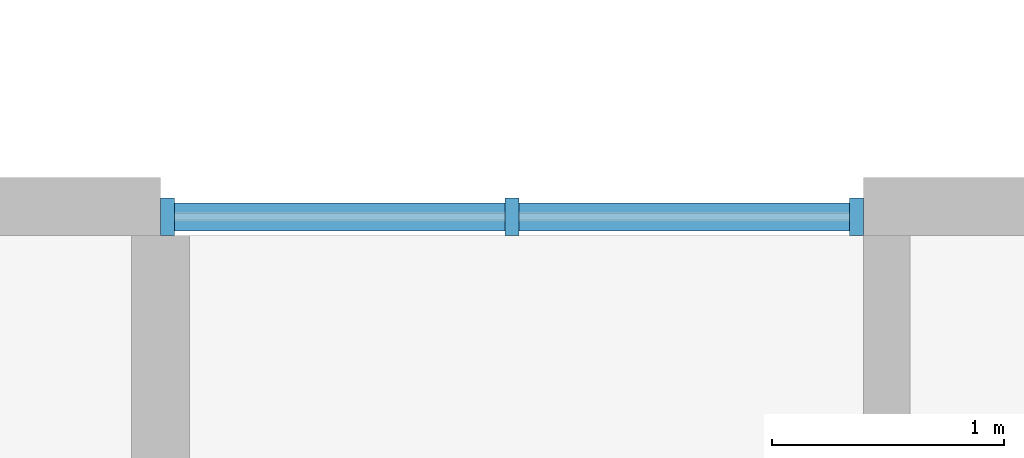
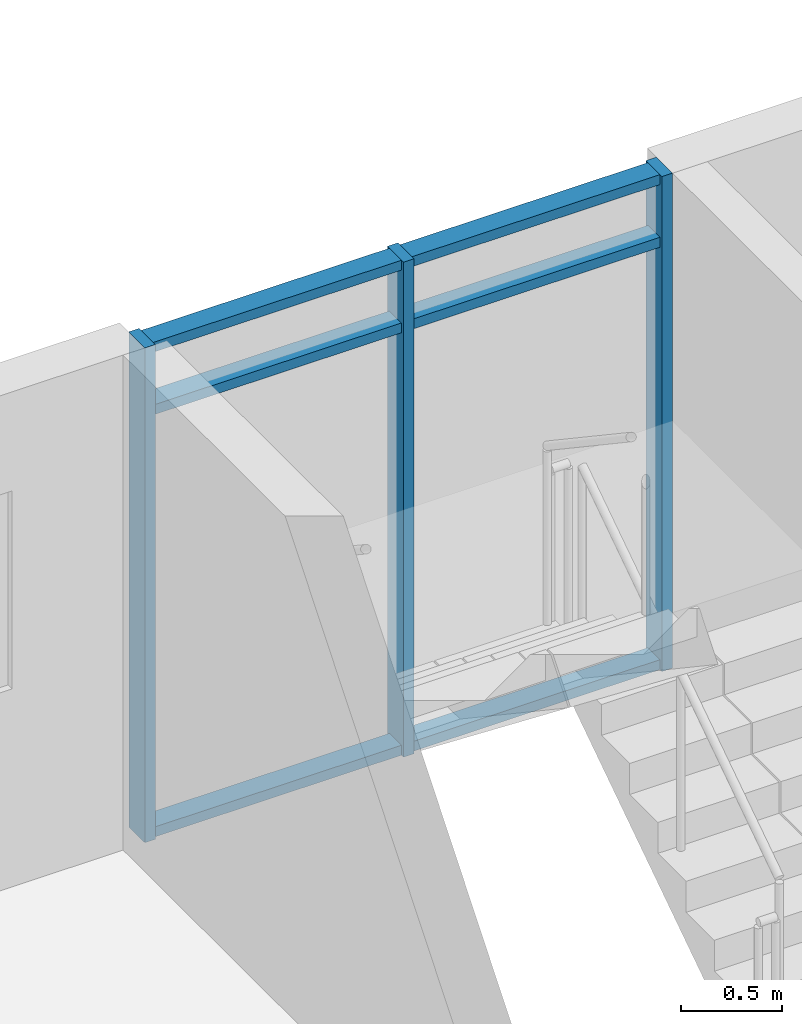
# One storey, part 13 of 87: 9 members, 1 element without a shape of its own.
"""IFC4 building model written with IfcOpenShell, lengths in metres."""

from ifc_helpers import new_model, si_unit, direction, frame, origin, origin_2d, place, context, subcontext, project, spatial, rectangle, extrude, material, material_profile, profile_set, type_object, element, aggregate, save


model = new_model("IFC4")

# Units and contexts
model_context = context("Model", 3, precision=1e-05, world=origin(), true_north=direction((0.0, 1.0)))
body_context = subcontext(model_context, "Body", "Model", "MODEL_VIEW")
ifc_project = project(units=[si_unit("LENGTHUNIT", "METRE"), si_unit("AREAUNIT", "SQUARE_METRE"), si_unit("VOLUMEUNIT", "CUBIC_METRE"), si_unit("PLANEANGLEUNIT", "RADIAN"), si_unit("MASSUNIT", "GRAM", prefix="KILO")], contexts=[model_context])

# Site, building, storey
site_placement = place(None, origin())
site = spatial("IfcSite", under=ifc_project, at=site_placement, CompositionType="ELEMENT")
building_placement = place(site_placement, origin())
building = spatial("IfcBuilding", under=site, at=building_placement, Name="Ridgestep Commons", CompositionType="ELEMENT")
storey_placement = place(building_placement, frame((0.0, 0.0, 27.0)))
storey = spatial("IfcBuildingStorey", under=building, at=storey_placement, Name="L09", CompositionType="ELEMENT", Elevation=27.0)

# Curtain wall, members
ifc_material_1 = material(Name="Aluminium 6063-T6 and glass", Category="aluminium")
curtain_wall_type = type_object("IfcCurtainWallType", Name="Curtain wall stair strip", PredefinedType="NOTDEFINED", material=ifc_material_1)
curtain_wall_placement = place(storey_placement, origin())
curtain_wall = element("IfcCurtainWall", 1, at=curtain_wall_placement, inside=storey, type_object=curtain_wall_type, Name="Curtain wall B4C level 09", PredefinedType="NOTDEFINED")
ifc_material_2 = material(Name="Aluminium 6063-T6", Category="aluminium")
ifc_material_profile_1 = material_profile(ifc_material_2, rectangle(XDim=0.159912109375, YDim=0.06005859375, at=origin_2d()), Name="Mullion 60 x 160")
ifc_profile_set_1 = profile_set([ifc_material_profile_1], Name="Aluminium 6063-T6")
member_type_1 = type_object("IfcMemberType", Name="Mullion 60 x 160", PredefinedType="MULLION", material=ifc_profile_set_1)
member_1_placement = place(storey_placement, frame((73.22998046875, 77.080078125, 0.0), z_axis=(0.0, 0.0, 1.0), x_axis=(0.0, 1.0, 0.0)))
member_1 = element("IfcMember", 2, at=member_1_placement, type_object=member_type_1, Name="CW1 mullion 1", PredefinedType="MULLION", context=body_context, shape_type="SweptSolid", body=[
    extrude(rectangle(XDim=0.159912109375, YDim=0.06005859375, at=origin_2d()), origin(), (0.0, 0.0, 1.0), 3.0),
])
member_2_placement = place(storey_placement, frame((74.71240234375, 77.080078125, 0.0), z_axis=(0.0, 0.0, 1.0), x_axis=(0.0, 1.0, 0.0)))
member_2 = element("IfcMember", 3, at=member_2_placement, type_object=member_type_1, Name="CW1 mullion 2", PredefinedType="MULLION", context=body_context, shape_type="SweptSolid", body=[
    extrude(rectangle(XDim=0.159912109375, YDim=0.06005859375, at=origin_2d()), origin(), (0.0, 0.0, 1.0), 3.0),
])
member_3_placement = place(storey_placement, frame((76.195068359375, 77.080078125, 0.0), z_axis=(0.0, 0.0, 1.0), x_axis=(0.0, 1.0, 0.0)))
member_3 = element("IfcMember", 4, at=member_3_placement, type_object=member_type_1, Name="CW1 mullion 3", PredefinedType="MULLION", context=body_context, shape_type="SweptSolid", body=[
    extrude(rectangle(XDim=0.159912109375, YDim=0.06005859375, at=origin_2d()), origin(), (0.0, 0.0, 1.0), 3.0),
])
ifc_material_3 = material(Name="Aluminium 6063-T6", Category="aluminium")
ifc_material_profile_2 = material_profile(ifc_material_3, rectangle(XDim=0.1201171875, YDim=0.06005859375, at=origin_2d()), Name="Transom 60 x 120")
ifc_profile_set_2 = profile_set([ifc_material_profile_2], Name="Aluminium 6063-T6")
member_type_2 = type_object("IfcMemberType", Name="Transom 60 x 120", PredefinedType="USERDEFINED", material=ifc_profile_set_2)
member_4_placement = place(storey_placement, frame((73.260009765625, 77.080078125, 0.030029296875), z_axis=(1.0, 0.0, 0.0), x_axis=(0.0, 1.0, 0.0)))
member_4 = element("IfcMember", 5, at=member_4_placement, type_object=member_type_2, Name="CW1 transom 1.1", ObjectType="TRANSOM", PredefinedType="USERDEFINED", context=body_context, shape_type="SweptSolid", body=[
    extrude(rectangle(XDim=0.1201171875, YDim=0.06005859375, at=origin_2d()), origin(), (0.0, 0.0, 1.0), 1.422607421875),
])
member_5_placement = place(storey_placement, frame((73.260009765625, 77.080078125, 2.590087890625), z_axis=(1.0, 0.0, 0.0), x_axis=(0.0, 1.0, 0.0)))
member_5 = element("IfcMember", 6, at=member_5_placement, type_object=member_type_2, Name="CW1 transom 1.2", ObjectType="TRANSOM", PredefinedType="USERDEFINED", context=body_context, shape_type="SweptSolid", body=[
    extrude(rectangle(XDim=0.1201171875, YDim=0.06005859375, at=origin_2d()), origin(), (0.0, 0.0, 1.0), 1.422607421875),
])
member_6_placement = place(storey_placement, frame((73.260009765625, 77.080078125, 2.969970703125), z_axis=(1.0, 0.0, 0.0), x_axis=(0.0, 1.0, 0.0)))
member_6 = element("IfcMember", 7, at=member_6_placement, type_object=member_type_2, Name="CW1 transom 1.3", ObjectType="TRANSOM", PredefinedType="USERDEFINED", context=body_context, shape_type="SweptSolid", body=[
    extrude(rectangle(XDim=0.1201171875, YDim=0.06005859375, at=origin_2d()), origin(), (0.0, 0.0, 1.0), 1.422607421875),
])
member_7_placement = place(storey_placement, frame((74.742431640625, 77.080078125, 0.030029296875), z_axis=(1.0, 0.0, 0.0), x_axis=(0.0, 1.0, 0.0)))
member_7 = element("IfcMember", 8, at=member_7_placement, type_object=member_type_2, Name="CW1 transom 2.1", ObjectType="TRANSOM", PredefinedType="USERDEFINED", context=body_context, shape_type="SweptSolid", body=[
    extrude(rectangle(XDim=0.1201171875, YDim=0.06005859375, at=origin_2d()), origin(), (0.0, 0.0, 1.0), 1.422607421875),
])
member_8_placement = place(storey_placement, frame((74.742431640625, 77.080078125, 2.590087890625), z_axis=(1.0, 0.0, 0.0), x_axis=(0.0, 1.0, 0.0)))
member_8 = element("IfcMember", 9, at=member_8_placement, type_object=member_type_2, Name="CW1 transom 2.2", ObjectType="TRANSOM", PredefinedType="USERDEFINED", context=body_context, shape_type="SweptSolid", body=[
    extrude(rectangle(XDim=0.1201171875, YDim=0.06005859375, at=origin_2d()), origin(), (0.0, 0.0, 1.0), 1.422607421875),
])
member_9_placement = place(storey_placement, frame((74.742431640625, 77.080078125, 2.969970703125), z_axis=(1.0, 0.0, 0.0), x_axis=(0.0, 1.0, 0.0)))
member_9 = element("IfcMember", 10, at=member_9_placement, type_object=member_type_2, Name="CW1 transom 2.3", ObjectType="TRANSOM", PredefinedType="USERDEFINED", context=body_context, shape_type="SweptSolid", body=[
    extrude(rectangle(XDim=0.1201171875, YDim=0.06005859375, at=origin_2d()), origin(), (0.0, 0.0, 1.0), 1.422607421875),
])
aggregate(curtain_wall, [member_1, member_2, member_3, member_4, member_5, member_6, member_7, member_8, member_9])

save(model, "model.ifc")
